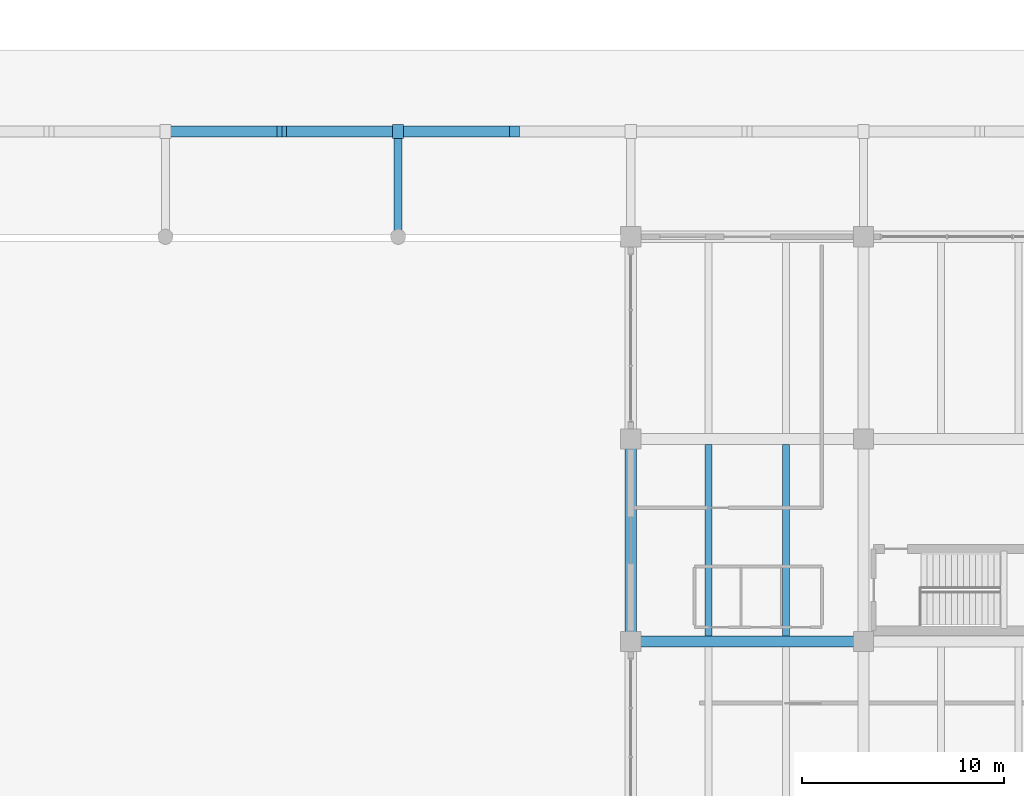
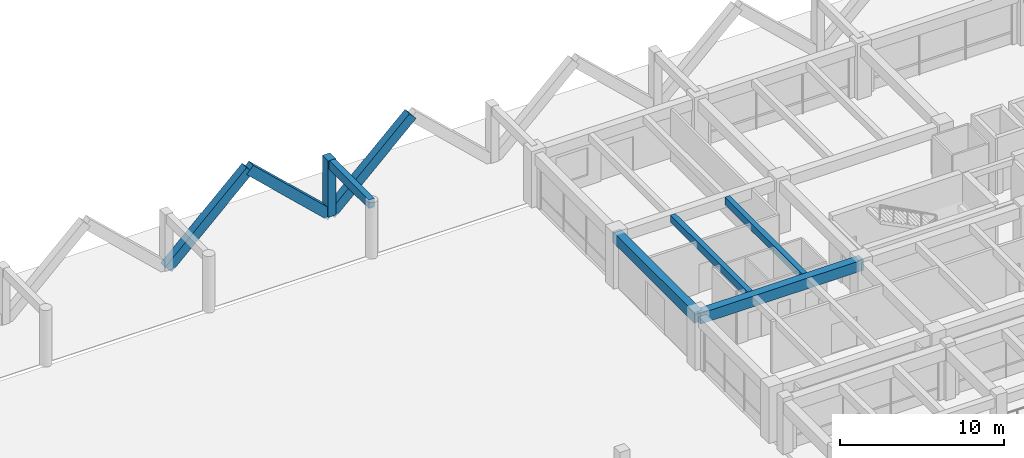
# One storey, part 49 of 109: 5 beams, 4 members.
"""IFC4 building model written with IfcOpenShell, lengths in metres."""

from ifc_helpers import new_model, si_unit, direction, frame, origin, origin_2d, place, context, subcontext, project, spatial, rectangle, extrude, material, material_profile, profile_set, type_object, element, save


model = new_model("IFC4")

# Units and contexts
model_context = context("Model", 3, precision=1e-05, world=origin(), true_north=direction((0.0, 1.0)))
body_context = subcontext(model_context, "Body", "Model", "MODEL_VIEW")
ifc_project = project(units=[si_unit("LENGTHUNIT", "METRE"), si_unit("AREAUNIT", "SQUARE_METRE"), si_unit("VOLUMEUNIT", "CUBIC_METRE"), si_unit("PLANEANGLEUNIT", "RADIAN"), si_unit("MASSUNIT", "GRAM", prefix="KILO")], contexts=[model_context])

# Site, building, storey
site_placement = place(None, origin())
site = spatial("IfcSite", under=ifc_project, at=site_placement, CompositionType="ELEMENT")
building_placement = place(site_placement, origin())
building = spatial("IfcBuilding", under=site, at=building_placement, Name="Ologun Quay Terminus", CompositionType="ELEMENT")
storey_placement = place(building_placement, origin())
storey = spatial("IfcBuildingStorey", under=building, at=storey_placement, Name="L00", CompositionType="ELEMENT", Elevation=0.0)

# Beams
ifc_material_1 = material(Name="Concrete C40/50", Category="concrete")
ifc_material_profile_1 = material_profile(ifc_material_1, rectangle(XDim=0.550048828125, YDim=0.800048828125, at=origin_2d()), Name="RC 550x800")
ifc_profile_set_1 = profile_set([ifc_material_profile_1], Name="Concrete C40/50")
beam_type_1 = type_object("IfcBeamType", Name="Courtyard Wing Primary Girder 550x800", PredefinedType="BEAM", material=ifc_profile_set_1)
beam_1_placement = place(storey_placement, frame((115.0, 94.800048828125, 3.550048828125), z_axis=(1.0, 0.0, 0.0), x_axis=(0.0, 1.0, 0.0)))
element("IfcBeam", 1, at=beam_1_placement, inside=storey, type_object=beam_type_1, Name="B4 Beam 11/H L00", PredefinedType="BEAM", context=body_context, shape_type="SweptSolid", body=[
    extrude(rectangle(XDim=0.550048828125, YDim=0.800048828125, at=origin_2d()), origin(), (0.0, 0.0, 1.0), 11.5),
])
beam_2_placement = place(storey_placement, frame((115.0, 94.800048828125, 3.550048828125), z_axis=(0.0, 1.0, 0.0), x_axis=(-1.0, 0.0, 0.0)))
element("IfcBeam", 2, at=beam_2_placement, inside=storey, type_object=beam_type_1, Name="B4 Beam 11/H L00", PredefinedType="BEAM", context=body_context, shape_type="SweptSolid", body=[
    extrude(rectangle(XDim=0.550048828125, YDim=0.800048828125, at=origin_2d()), origin(), (0.0, 0.0, 1.0), 10.0),
])
ifc_material_2 = material(Name="Concrete C40/50", Category="concrete")
ifc_material_profile_2 = material_profile(ifc_material_2, rectangle(XDim=0.35009765625, YDim=0.550048828125, at=origin_2d()), Name="RC 350x550")
ifc_profile_set_2 = profile_set([ifc_material_profile_2], Name="Concrete C40/50")
beam_type_2 = type_object("IfcBeamType", Name="Courtyard Wing Secondary Joist 350x550", PredefinedType="JOIST", material=ifc_profile_set_2)
for number, where, z_axis, x_axis, name in (
    (3, (118.833251953125, 95.074951171875, 3.675048828125), (0.0, 1.0, 0.0), (-1.0, 0.0, 0.0), "J2 Beam 11/H L00"),
    (4, (122.666748046875, 95.074951171875, 3.675048828125), (0.0, 1.0, 0.0), (-1.0, 0.0, 0.0), "J2 Beam 11/H L00"),
):
    element("IfcBeam", number, at=place(storey_placement, frame(where, z_axis=z_axis, x_axis=x_axis)), inside=storey, type_object=beam_type_2, Name=name, PredefinedType="JOIST", context=body_context, shape_type="SweptSolid", body=[
        extrude(rectangle(XDim=0.35009765625, YDim=0.550048828125, at=origin_2d()), origin(), (0.0, 0.0, 1.0), 9.449951171875),
    ])

# Members
ifc_material_3 = material(Name="Concrete C45/55", Category="concrete")
ifc_material_profile_3 = material_profile(ifc_material_3, rectangle(XDim=0.550048828125, YDim=0.699951171875, at=origin_2d()), Name="RC 550x700")
ifc_profile_set_3 = profile_set([ifc_material_profile_3], Name="Concrete C45/55")
member_type = type_object("IfcMemberType", Name="Folded Canopy Concrete V-Strut 550x700", PredefinedType="STRUT", material=ifc_profile_set_3)
member_placement = place(storey_placement, frame((103.5, 120.0, 0.0), z_axis=(0.0, 0.0, 1.0), x_axis=(1.0, 0.0, 0.0)))
element("IfcMember", 5, at=member_placement, inside=storey, type_object=member_type, Name="VS2 Harbour Colonnade Pier 10/L", PredefinedType="STRUT", context=body_context, shape_type="SweptSolid", body=[
    extrude(rectangle(XDim=0.550048828125, YDim=0.699951171875, at=origin_2d()), origin(), (0.0, 0.0, 1.0), 4.219970703125),
])
for number, where, z_axis, x_axis, name in (
    (6, (92.0, 120.0, 0.0), (0.727684573488, 0.0, 0.685911919643), (0.0, 1.0, 0.0), "VS2 Colonnade Strut 9/L-E"),
    (7, (103.5, 120.0, 0.0), (-0.727684573488, 0.0, 0.685911919643), (0.0, -1.0, 0.0), "VS2 Colonnade Strut 10/L-W"),
    (8, (103.5, 120.0, 0.0), (0.727684573488, 0.0, 0.685911919643), (0.0, 1.0, 0.0), "VS2 Colonnade Strut 10/L-E"),
):
    element("IfcMember", number, at=place(storey_placement, frame(where, z_axis=z_axis, x_axis=x_axis)), inside=storey, type_object=member_type, Name=name, PredefinedType="STRUT", context=body_context, shape_type="SweptSolid", body=[
        extrude(rectangle(XDim=0.550048828125, YDim=0.699951171875, at=origin_2d()), origin(), (0.0, 0.0, 1.0), 7.90185546875),
    ])

# Beam
ifc_material_4 = material(Name="Concrete C40/50", Category="concrete")
ifc_material_profile_4 = material_profile(ifc_material_4, rectangle(XDim=0.39990234375, YDim=0.64990234375, at=origin_2d()), Name="RC 400x650")
ifc_profile_set_4 = profile_set([ifc_material_profile_4], Name="Concrete C40/50")
beam_type_3 = type_object("IfcBeamType", Name="Station Secondary Joist 400x650", PredefinedType="JOIST", material=ifc_profile_set_4)
beam_3_placement = place(storey_placement, frame((103.5, 114.800048828125, 3.89501953125), z_axis=(0.0, 1.0, 0.0), x_axis=(-1.0, 0.0, 0.0)))
element("IfcBeam", 9, at=beam_3_placement, inside=storey, type_object=beam_type_3, Name="J1 Beam 10/L L00", PredefinedType="JOIST", context=body_context, shape_type="SweptSolid", body=[
    extrude(rectangle(XDim=0.39990234375, YDim=0.64990234375, at=origin_2d()), origin(), (0.0, 0.0, 1.0), 5.199951171875),
])

save(model, "model.ifc")
